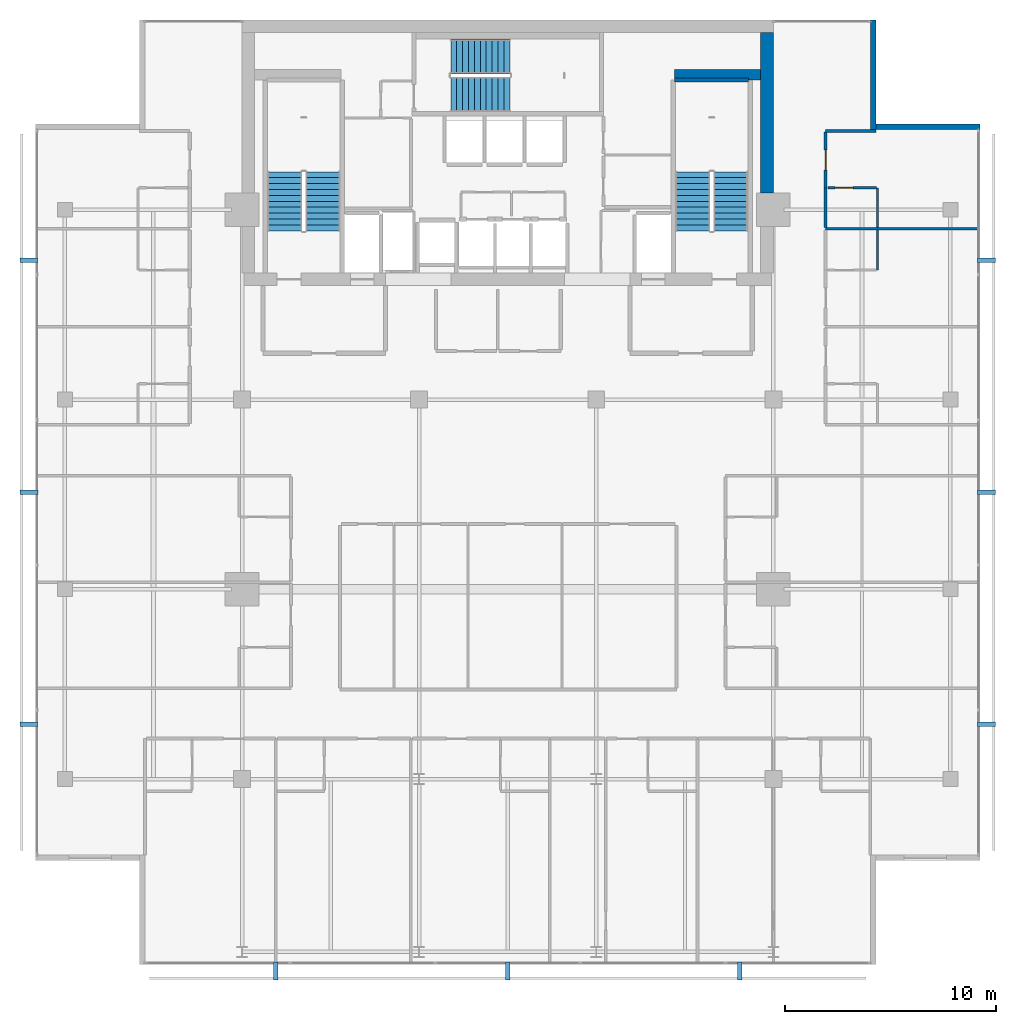
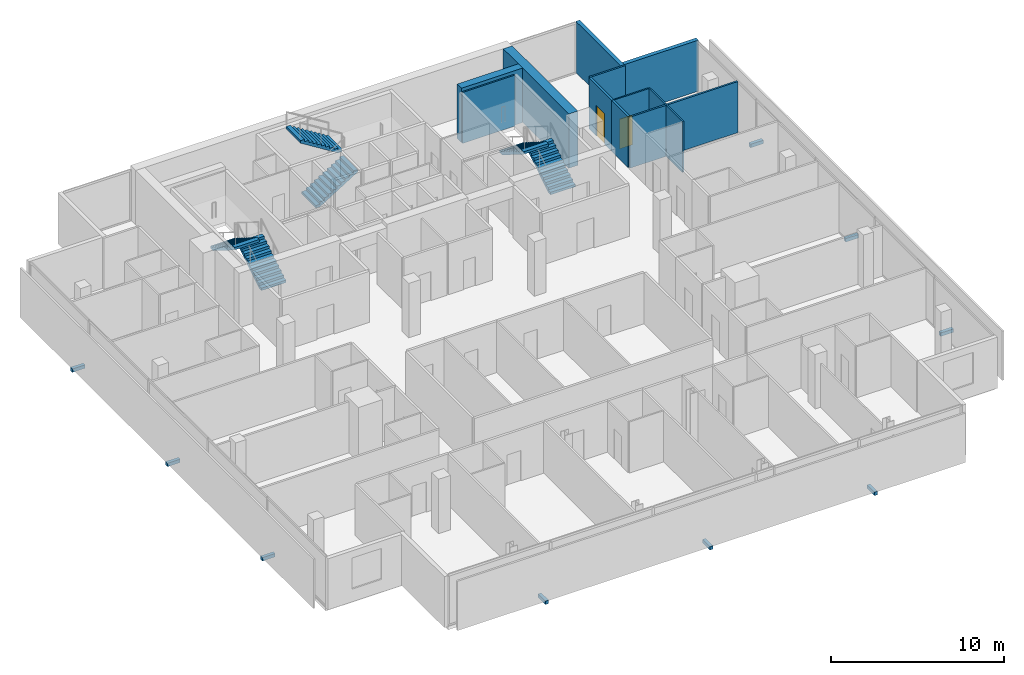
# One storey, part 24 of 26: 12 walls, 9 discrete accessories, 6 stair flights, 2 doors, 2 openings, 3 elements without a shape of their own.
"""IFC4 building model written with IfcOpenShell, lengths in metres."""

from ifc_helpers import new_model, si_unit, direction, frame, frame_2d, origin, origin_2d, place, context, subcontext, project, spatial, polyline, rectangle, outline, extrude, material, layer, layer_set, type_object, element, fill, aggregate, save


model = new_model("IFC4")

# Units and contexts
model_context = context("Model", 3, precision=1e-05, world=origin(), true_north=direction((0.0, 1.0)))
body_context = subcontext(model_context, "Body", "Model", "MODEL_VIEW")
ifc_project = project(units=[si_unit("LENGTHUNIT", "METRE"), si_unit("AREAUNIT", "SQUARE_METRE"), si_unit("VOLUMEUNIT", "CUBIC_METRE"), si_unit("PLANEANGLEUNIT", "RADIAN"), si_unit("MASSUNIT", "GRAM", prefix="KILO")], contexts=[model_context])

# Site, building, storey
site_placement = place(None, origin())
site = spatial("IfcSite", under=ifc_project, at=site_placement, CompositionType="ELEMENT")
building_placement = place(site_placement, origin())
building = spatial("IfcBuilding", under=site, at=building_placement, Name="Maruvema Waterfront Hotel and Observation Tower", CompositionType="ELEMENT")
storey_placement = place(building_placement, frame((0.0, 0.0, 289.449951171875)))
storey = spatial("IfcBuildingStorey", under=building, at=storey_placement, Name="L71", CompositionType="ELEMENT", Elevation=289.449951171875)

# Wall
ifc_material_1 = material(Name="Twin-stud acoustic gypsum drywall", Category="gypsum")
ifc_layer_1 = layer(ifc_material_1, 0.14990234375, Name="Acoustic Corridor and Suite Demising Wall 150 mm")
ifc_layer_set_1 = layer_set([ifc_layer_1], Name="Twin-stud acoustic gypsum drywall")
wall_type_1 = type_object("IfcWallType", Name="Acoustic Corridor and Suite Demising Wall 150 mm", PredefinedType="PARTITIONING", material=ifc_layer_set_1)
wall_1_placement = place(storey_placement, frame((52.8798828125, 44.151611328125, 0.0), z_axis=(0.0, 0.0, 1.0), x_axis=(0.0, 1.0, 0.0)))
element("IfcWall", 1, at=wall_1_placement, inside=storey, type_object=wall_type_1, Name="L71 Bath L71-NE3 Wall 121", PredefinedType="PARTITIONING", context=body_context, shape_type="SweptSolid", body=[
    extrude(rectangle(XDim=1.89013671875, YDim=0.14990234375, at=frame_2d((0.945068359375, 0.0))), origin(), (0.0, 0.0, 1.0), 3.610107421875),
])

# Wall, opening, door
wall_2_placement = place(storey_placement, frame((52.8798828125, 46.041748046875, 0.0), z_axis=(0.0, 0.0, 1.0), x_axis=(0.0, 1.0, 0.0)))
wall_2 = element("IfcWall", 2, at=wall_2_placement, inside=storey, type_object=wall_type_1, Name="L71 Room L71-NE3 Corridor Wall 122", PredefinedType="PARTITIONING", context=body_context, shape_type="SweptSolid", body=[
    extrude(rectangle(XDim=2.6357421875, YDim=0.14990234375, at=frame_2d((1.31787109375, 0.0))), origin(), (0.0, 0.0, 1.0), 3.610107421875),
])
opening_1_placement = place(wall_2_placement, frame((0.843017578125, 0.0, 0.0)))
opening_1 = element("IfcOpeningElement", 3, at=opening_1_placement, cuts=wall_2, Name="Opening DR-095", PredefinedType="OPENING", context=body_context, shape_type="SweptSolid", body=[
    extrude(rectangle(XDim=0.949951171875, YDim=2.14990234375, at=frame_2d((0.47509765625, 1.074951171875))), frame((0.0, 0.0849609375, 0.0), z_axis=(0.0, -1.0, 0.0), x_axis=(1.0, 0.0, 0.0)), (0.0, 0.0, 1.0), 0.169921875),
])
ifc_material_2 = material(Name="Acoustic solid-core hardwood timber leaf", Category="wood")
door_type_1 = type_object("IfcDoorType", Name="Guestroom Entrance Fire Door 950x2150 mm", OperationType="NOTDEFINED", PredefinedType="DOOR", material=ifc_material_2)
door_1_placement = place(opening_1_placement, frame((0.949951171875, 0.0, 0.0), z_axis=(0.0, 0.0, 1.0), x_axis=(-1.0, 0.0, 0.0)))
door_1 = element("IfcDoor", 4, at=door_1_placement, inside=storey, type_object=door_type_1, Name="L71 Room L71-NE3 Entrance Door", OperationType="SINGLE_SWING_LEFT", OverallHeight=2.14990234375, OverallWidth=0.949951171875, PredefinedType="DOOR", context=body_context, shape_type="SweptSolid", body=[
    extrude(rectangle(XDim=0.949951171875, YDim=2.14990234375, at=frame_2d((0.47509765625, 1.074951171875))), frame((0.0, 0.02490234375, 0.0), z_axis=(0.0, -1.0, 0.0), x_axis=(1.0, 0.0, 0.0)), (0.0, 0.0, 1.0), 0.050048828125),
])
fill(opening_1, door_1)

# Walls
ifc_material_3 = material(Name="Precast concrete C45/55", Category="concrete")
ifc_layer_2 = layer(ifc_material_3, 0.199951171875, Name="Core Shaft and Stairwell Enclosure Wall 200 mm")
ifc_layer_set_2 = layer_set([ifc_layer_2], Name="Precast concrete C45/55")
wall_type_2 = type_object("IfcWallType", Name="Core Shaft and Stairwell Enclosure Wall 200 mm", PredefinedType="SOLIDWALL", material=ifc_layer_set_2)
wall_3_placement = place(storey_placement, frame((45.719970703125, 51.14990234375, 0.0), z_axis=(0.0, 0.0, 1.0), x_axis=(1.0, 0.0, 0.0)))
element("IfcWall", 5, at=wall_3_placement, inside=storey, type_object=wall_type_2, Name="L71 Stairwell ST-03 Shaft Lining Wall", PredefinedType="SOLIDWALL", context=body_context, shape_type="SweptSolid", body=[
    extrude(rectangle(XDim=3.5, YDim=0.199951171875, at=frame_2d((1.75, 0.0))), origin(), (0.0, 0.0, 1.0), 3.610107421875),
])
ifc_material_4 = material(Name="Concrete C70/85", Category="concrete")
ifc_layer_3 = layer(ifc_material_4, 0.5, Name="Core Shear Wall 500 mm")
ifc_layer_set_3 = layer_set([ifc_layer_3], Name="Concrete C70/85")
wall_type_3 = type_object("IfcWallType", Name="Core Shear Wall 500 mm", PredefinedType="SHEAR", material=ifc_layer_set_3)
wall_4_placement = place(storey_placement, frame((45.699951171875, 51.39990234375, 0.0), z_axis=(0.0, 0.0, 1.0), x_axis=(1.0, 0.0, 0.0)))
element("IfcWall", 6, at=wall_4_placement, inside=storey, type_object=wall_type_3, Name="L71 Internal Core Shear Wall NE 500 mm", PredefinedType="SHEAR", context=body_context, shape_type="SweptSolid", body=[
    extrude(rectangle(XDim=4.10009765625, YDim=0.5, at=frame_2d((2.050048828125, 0.0))), origin(), (0.0, 0.0, 1.0), 3.85009765625),
])
ifc_material_5 = material(Name="Concrete C60/75", Category="concrete")
ifc_layer_4 = layer(ifc_material_5, 0.60009765625, Name="Core Shear Wall 600 mm")
ifc_layer_set_4 = layer_set([ifc_layer_4], Name="Concrete C60/75")
wall_type_4 = type_object("IfcWallType", Name="Core Shear Wall 600 mm", PredefinedType="SHEAR", material=ifc_layer_set_4)
wall_5_placement = place(storey_placement, frame((50.10009765625, 45.800048828125, 0.0), z_axis=(0.0, 0.0, 1.0), x_axis=(0.0, 1.0, 0.0)))
element("IfcWall", 7, at=wall_5_placement, inside=storey, type_object=wall_type_4, Name="L71 East-North Core Shear Wall", PredefinedType="SHEAR", context=body_context, shape_type="SweptSolid", body=[
    extrude(rectangle(XDim=7.599853515625, YDim=0.60009765625, at=frame_2d((3.7998046875, 0.0))), origin(), (0.0, 0.0, 1.0), 3.85009765625),
])
ifc_material_6 = material(Name="Moisture-resistant cement-board drywall", Category="gypsum")
ifc_layer_5 = layer(ifc_material_6, 0.10009765625, Name="En-Suite Moisture-Resistant Partition 100 mm")
ifc_layer_set_5 = layer_set([ifc_layer_5], Name="Moisture-resistant cement-board drywall")
wall_type_5 = type_object("IfcWallType", Name="En-Suite Moisture-Resistant Partition 100 mm", PredefinedType="PARTITIONING", material=ifc_layer_set_5)
for number, where, z_axis, x_axis, name in (
    (8, (55.330078125, 42.1416015625, 0.0), (0.0, 0.0, 1.0), (0.0, 1.0, 0.0), "L71 En-Suite L71-NE2 E 113"),
    (9, (55.330078125, 44.151611328125, 0.0), (0.0, 0.0, 1.0), (0.0, 1.0, 0.0), "L71 En-Suite L71-NE3 E 123"),
):
    element("IfcWall", number, at=place(storey_placement, frame(where, z_axis=z_axis, x_axis=x_axis)), inside=storey, type_object=wall_type_5, Name=name, PredefinedType="PARTITIONING", context=body_context, shape_type="SweptSolid", body=[
        extrude(rectangle(XDim=1.89013671875, YDim=0.10009765625, at=frame_2d((0.945068359375, 0.0))), origin(), (0.0, 0.0, 1.0), 3.610107421875),
    ])

# Wall, opening, door
wall_6_placement = place(storey_placement, frame((52.97998046875, 46.041748046875, 0.0), z_axis=(0.0, 0.0, 1.0), x_axis=(1.0, 0.0, 0.0)))
wall_6 = element("IfcWall", 10, at=wall_6_placement, inside=storey, type_object=wall_type_5, Name="L71 En-Suite L71-NE3 N 124", PredefinedType="PARTITIONING", context=body_context, shape_type="SweptSolid", body=[
    extrude(rectangle(XDim=2.300048828125, YDim=0.10009765625, at=frame_2d((1.14990234375, 0.0))), origin(), (0.0, 0.0, 1.0), 3.610107421875),
])
opening_2_placement = place(wall_6_placement, frame((0.35009765625, 0.0, 0.0)))
opening_2 = element("IfcOpeningElement", 11, at=opening_2_placement, cuts=wall_6, Name="Opening DR-085", PredefinedType="OPENING", context=body_context, shape_type="SweptSolid", body=[
    extrude(rectangle(XDim=0.85009765625, YDim=2.10009765625, at=frame_2d((0.425048828125, 1.050048828125))), frame((0.0, 0.06005859375, 0.0), z_axis=(0.0, -1.0, 0.0), x_axis=(1.0, 0.0, 0.0)), (0.0, 0.0, 1.0), 0.1201171875),
])
ifc_material_7 = material(Name="Moisture-resistant solid timber leaf", Category="wood")
door_type_2 = type_object("IfcDoorType", Name="En-Suite Bathroom Door 850x2100 mm", OperationType="NOTDEFINED", PredefinedType="DOOR", material=ifc_material_7)
door_2_placement = place(opening_2_placement, origin())
door_2 = element("IfcDoor", 12, at=door_2_placement, inside=storey, type_object=door_type_2, Name="L71 En-Suite L71-NE3 Door", OperationType="SINGLE_SWING_RIGHT", OverallHeight=2.10009765625, OverallWidth=0.85009765625, PredefinedType="DOOR", context=body_context, shape_type="SweptSolid", body=[
    extrude(rectangle(XDim=0.85009765625, YDim=2.10009765625, at=frame_2d((0.425048828125, 1.050048828125))), frame((0.0, 0.02490234375, 0.0), z_axis=(0.0, -1.0, 0.0), x_axis=(1.0, 0.0, 0.0)), (0.0, 0.0, 1.0), 0.050048828125),
])
fill(opening_2, door_2)

# Walls
ifc_material_8 = material(Name="Precast concrete C45/55 with honed Pernambuco granite facing", Category="masonry")
ifc_layer_6 = layer(ifc_material_8, 0.260009765625, Name="Exterior Granite Clad Spandrel and Pier Wall 260 mm")
ifc_layer_set_6 = layer_set([ifc_layer_6], Name="Precast concrete C45/55 with honed Pernambuco granite facing")
wall_type_6 = type_object("IfcWallType", Name="Exterior Granite Clad Spandrel and Pier Wall 260 mm", PredefinedType="SOLIDWALL", material=ifc_layer_set_6)
for number, where, z_axis, x_axis, name in (
    (13, (55.1298828125, 54.0, 0.0), (0.0, 0.0, 1.0), (0.0, -1.0, 0.0), "L71 Corner Notch Granite Pier Wall NE1"),
    (14, (55.0, 48.929931640625, 0.0), (0.0, 0.0, 1.0), (1.0, 0.0, 0.0), "L71 Corner Notch Granite Pier Wall NE2"),
):
    element("IfcWall", number, at=place(storey_placement, frame(where, z_axis=z_axis, x_axis=x_axis)), inside=storey, type_object=wall_type_6, Name=name, PredefinedType="SOLIDWALL", context=body_context, shape_type="SweptSolid", body=[
        extrude(rectangle(XDim=5.199951171875, YDim=0.260009765625, at=frame_2d((2.60009765625, 0.0))), origin(), (0.0, 0.0, 1.0), 3.610107421875),
    ])
ifc_material_9 = material(Name="Acoustic gypsum plasterboard drywall", Category="gypsum")
ifc_layer_7 = layer(ifc_material_9, 0.125, Name="Guestroom Acoustic Demising Wall 125 mm")
ifc_layer_set_7 = layer_set([ifc_layer_7], Name="Acoustic gypsum plasterboard drywall")
wall_type_7 = type_object("IfcWallType", Name="Guestroom Acoustic Demising Wall 125 mm", PredefinedType="PARTITIONING", material=ifc_layer_set_7)
wall_7_placement = place(storey_placement, frame((52.8798828125, 48.737548828125, 0.0), z_axis=(0.0, 0.0, 1.0), x_axis=(1.0, 0.0, 0.0)))
element("IfcWall", 15, at=wall_7_placement, inside=storey, type_object=wall_type_7, Name="L71 Z3 NE Top End 096", PredefinedType="PARTITIONING", context=body_context, shape_type="SweptSolid", body=[
    extrude(rectangle(XDim=2.380126953125, YDim=0.125, at=frame_2d((1.18994140625, 0.0))), origin(), (0.0, 0.0, 1.0), 3.610107421875),
])
wall_8_placement = place(storey_placement, frame((52.8798828125, 44.091796875, 0.0), z_axis=(0.0, 0.0, 1.0), x_axis=(1.0, 0.0, 0.0)))
element("IfcWall", 16, at=wall_8_placement, inside=storey, type_object=wall_type_7, Name="L71 Z3 NE Demising 3 116", PredefinedType="PARTITIONING", context=body_context, shape_type="SweptSolid", body=[
    extrude(rectangle(XDim=7.22021484375, YDim=0.125, at=frame_2d((3.610107421875, 0.0))), origin(), (0.0, 0.0, 1.0), 3.610107421875),
])

# Stair, stair flights
ifc_material_10 = material(Name="Concrete C50/60", Category="concrete")
stair_type = type_object("IfcStairType", Name="Dogleg Exit Stair 1650 mm (22R x 175.0 mm)", PredefinedType="HALF_TURN_STAIR", material=ifc_material_10)
stair_1_placement = place(storey_placement, origin())
stair_1 = element("IfcStair", 17, at=stair_1_placement, inside=storey, type_object=stair_type, Name="L71 ST-01", PredefinedType="HALF_TURN_STAIR")
ifc_material_11 = material(Name="Concrete C50/60", Category="concrete")
stair_flight_type = type_object("IfcStairFlightType", Name="Reinforced Concrete Stair Flight 1650 mm (11R x 175.0 mm)", PredefinedType="STRAIGHT", material=ifc_material_11)
stair_flight_1_placement = place(storey_placement, frame((29.02490234375, 44.0, 0.0), z_axis=(0.0, 0.0, 1.0), x_axis=(0.0, 1.0, 0.0)))
stair_flight_1 = element("IfcStairFlight", 18, at=stair_flight_1_placement, type_object=stair_flight_type, Name="ST-01 flight 1", NumberOfRisers=11, NumberOfTreads=10, PredefinedType="STRAIGHT", RiserHeight=0.175, TreadLength=0.28, context=body_context, shape_type="SweptSolid", body=[
    extrude(outline(polyline([(0.0, 0.0), (0.0, 0.175048828125), (0.280029296875, 0.175048828125), (0.280029296875, 0.35009765625), (0.56005859375, 0.35009765625), (0.56005859375, 0.52490234375), (0.840087890625, 0.52490234375), (0.840087890625, 0.699951171875), (1.1201171875, 0.699951171875), (1.1201171875, 0.875), (1.39990234375, 0.875), (1.39990234375, 1.050048828125), (1.679931640625, 1.050048828125), (1.679931640625, 1.22509765625), (1.9599609375, 1.22509765625), (1.9599609375, 1.39990234375), (2.239990234375, 1.39990234375), (2.239990234375, 1.574951171875), (2.52001953125, 1.574951171875), (2.52001953125, 1.75), (2.800048828125, 1.75), (2.800048828125, 1.925048828125), (2.800048828125, 1.5732421875), (0.28271484375, 0.0), (0.0, 0.0)])), frame((0.0, 0.824951171875, 0.0), z_axis=(0.0, -1.0, 0.0), x_axis=(1.0, 0.0, 0.0)), (0.0, 0.0, 1.0), 1.64990234375),
])
stair_flight_2_placement = place(storey_placement, frame((27.22509765625, 46.800048828125, 1.925048828125), z_axis=(0.0, 0.0, 1.0), x_axis=(0.0, -1.0, 0.0)))
stair_flight_2 = element("IfcStairFlight", 19, at=stair_flight_2_placement, type_object=stair_flight_type, Name="ST-01 flight 2", NumberOfRisers=11, NumberOfTreads=10, PredefinedType="STRAIGHT", RiserHeight=0.175, TreadLength=0.28, context=body_context, shape_type="SweptSolid", body=[
    extrude(outline(polyline([(0.0, 0.0), (0.0, 0.175048828125), (0.280029296875, 0.175048828125), (0.280029296875, 0.35009765625), (0.56005859375, 0.35009765625), (0.56005859375, 0.52490234375), (0.840087890625, 0.52490234375), (0.840087890625, 0.699951171875), (1.1201171875, 0.699951171875), (1.1201171875, 0.875), (1.39990234375, 0.875), (1.39990234375, 1.050048828125), (1.679931640625, 1.050048828125), (1.679931640625, 1.22509765625), (1.9599609375, 1.22509765625), (1.9599609375, 1.39990234375), (2.239990234375, 1.39990234375), (2.239990234375, 1.574951171875), (2.52001953125, 1.574951171875), (2.52001953125, 1.75), (2.800048828125, 1.75), (2.800048828125, 1.925048828125), (2.800048828125, 1.5732421875), (0.28271484375, 0.0), (0.0, 0.0)])), frame((0.0, 0.824951171875, 0.0), z_axis=(0.0, -1.0, 0.0), x_axis=(1.0, 0.0, 0.0)), (0.0, 0.0, 1.0), 1.64990234375),
])
aggregate(stair_1, [stair_flight_1, stair_flight_2])

stair_2_placement = place(storey_placement, origin())
stair_2 = element("IfcStair", 20, at=stair_2_placement, inside=storey, type_object=stair_type, Name="L71 ST-02", PredefinedType="HALF_TURN_STAIR")
stair_flight_3_placement = place(storey_placement, frame((35.10009765625, 50.47509765625, 0.0), z_axis=(0.0, 0.0, 1.0), x_axis=(1.0, 0.0, 0.0)))
stair_flight_3 = element("IfcStairFlight", 21, at=stair_flight_3_placement, type_object=stair_flight_type, Name="ST-02 flight 1", NumberOfRisers=11, NumberOfTreads=10, PredefinedType="STRAIGHT", RiserHeight=0.175, TreadLength=0.28, context=body_context, shape_type="SweptSolid", body=[
    extrude(outline(polyline([(0.0, 0.0), (0.0, 0.175048828125), (0.280029296875, 0.175048828125), (0.280029296875, 0.35009765625), (0.56005859375, 0.35009765625), (0.56005859375, 0.52490234375), (0.840087890625, 0.52490234375), (0.840087890625, 0.699951171875), (1.1201171875, 0.699951171875), (1.1201171875, 0.875), (1.39990234375, 0.875), (1.39990234375, 1.050048828125), (1.679931640625, 1.050048828125), (1.679931640625, 1.22509765625), (1.9599609375, 1.22509765625), (1.9599609375, 1.39990234375), (2.239990234375, 1.39990234375), (2.239990234375, 1.574951171875), (2.52001953125, 1.574951171875), (2.52001953125, 1.75), (2.800048828125, 1.75), (2.800048828125, 1.925048828125), (2.800048828125, 1.5732421875), (0.28271484375, 0.0), (0.0, 0.0)])), frame((0.0, 0.824951171875, 0.0), z_axis=(0.0, -1.0, 0.0), x_axis=(1.0, 0.0, 0.0)), (0.0, 0.0, 1.0), 1.64990234375),
])
stair_flight_4_placement = place(storey_placement, frame((37.89990234375, 52.27490234375, 1.925048828125), z_axis=(0.0, 0.0, 1.0), x_axis=(-1.0, 0.0, 0.0)))
stair_flight_4 = element("IfcStairFlight", 22, at=stair_flight_4_placement, type_object=stair_flight_type, Name="ST-02 flight 2", NumberOfRisers=11, NumberOfTreads=10, PredefinedType="STRAIGHT", RiserHeight=0.175, TreadLength=0.28, context=body_context, shape_type="SweptSolid", body=[
    extrude(outline(polyline([(0.0, 0.0), (0.0, 0.175048828125), (0.280029296875, 0.175048828125), (0.280029296875, 0.35009765625), (0.56005859375, 0.35009765625), (0.56005859375, 0.52490234375), (0.840087890625, 0.52490234375), (0.840087890625, 0.699951171875), (1.1201171875, 0.699951171875), (1.1201171875, 0.875), (1.39990234375, 0.875), (1.39990234375, 1.050048828125), (1.679931640625, 1.050048828125), (1.679931640625, 1.22509765625), (1.9599609375, 1.22509765625), (1.9599609375, 1.39990234375), (2.239990234375, 1.39990234375), (2.239990234375, 1.574951171875), (2.52001953125, 1.574951171875), (2.52001953125, 1.75), (2.800048828125, 1.75), (2.800048828125, 1.925048828125), (2.800048828125, 1.5732421875), (0.28271484375, 0.0), (0.0, 0.0)])), frame((0.0, 0.824951171875, 0.0), z_axis=(0.0, -1.0, 0.0), x_axis=(1.0, 0.0, 0.0)), (0.0, 0.0, 1.0), 1.64990234375),
])
aggregate(stair_2, [stair_flight_3, stair_flight_4])

stair_3_placement = place(storey_placement, origin())
stair_3 = element("IfcStair", 23, at=stair_3_placement, inside=storey, type_object=stair_type, Name="L71 ST-03", PredefinedType="HALF_TURN_STAIR")
stair_flight_5_placement = place(storey_placement, frame((48.375, 44.0, 0.0), z_axis=(0.0, 0.0, 1.0), x_axis=(0.0, 1.0, 0.0)))
stair_flight_5 = element("IfcStairFlight", 24, at=stair_flight_5_placement, type_object=stair_flight_type, Name="ST-03 flight 1", NumberOfRisers=11, NumberOfTreads=10, PredefinedType="STRAIGHT", RiserHeight=0.175, TreadLength=0.28, context=body_context, shape_type="SweptSolid", body=[
    extrude(outline(polyline([(0.0, 0.0), (0.0, 0.175048828125), (0.280029296875, 0.175048828125), (0.280029296875, 0.35009765625), (0.56005859375, 0.35009765625), (0.56005859375, 0.52490234375), (0.840087890625, 0.52490234375), (0.840087890625, 0.699951171875), (1.1201171875, 0.699951171875), (1.1201171875, 0.875), (1.39990234375, 0.875), (1.39990234375, 1.050048828125), (1.679931640625, 1.050048828125), (1.679931640625, 1.22509765625), (1.9599609375, 1.22509765625), (1.9599609375, 1.39990234375), (2.239990234375, 1.39990234375), (2.239990234375, 1.574951171875), (2.52001953125, 1.574951171875), (2.52001953125, 1.75), (2.800048828125, 1.75), (2.800048828125, 1.925048828125), (2.800048828125, 1.5732421875), (0.28271484375, 0.0), (0.0, 0.0)])), frame((0.0, 0.824951171875, 0.0), z_axis=(0.0, -1.0, 0.0), x_axis=(1.0, 0.0, 0.0)), (0.0, 0.0, 1.0), 1.64990234375),
])
stair_flight_6_placement = place(storey_placement, frame((46.574951171875, 46.800048828125, 1.925048828125), z_axis=(0.0, 0.0, 1.0), x_axis=(0.0, -1.0, 0.0)))
stair_flight_6 = element("IfcStairFlight", 25, at=stair_flight_6_placement, type_object=stair_flight_type, Name="ST-03 flight 2", NumberOfRisers=11, NumberOfTreads=10, PredefinedType="STRAIGHT", RiserHeight=0.175, TreadLength=0.28, context=body_context, shape_type="SweptSolid", body=[
    extrude(outline(polyline([(0.0, 0.0), (0.0, 0.175048828125), (0.280029296875, 0.175048828125), (0.280029296875, 0.35009765625), (0.56005859375, 0.35009765625), (0.56005859375, 0.52490234375), (0.840087890625, 0.52490234375), (0.840087890625, 0.699951171875), (1.1201171875, 0.699951171875), (1.1201171875, 0.875), (1.39990234375, 0.875), (1.39990234375, 1.050048828125), (1.679931640625, 1.050048828125), (1.679931640625, 1.22509765625), (1.9599609375, 1.22509765625), (1.9599609375, 1.39990234375), (2.239990234375, 1.39990234375), (2.239990234375, 1.574951171875), (2.52001953125, 1.574951171875), (2.52001953125, 1.75), (2.800048828125, 1.75), (2.800048828125, 1.925048828125), (2.800048828125, 1.5732421875), (0.28271484375, 0.0), (0.0, 0.0)])), frame((0.0, 0.824951171875, 0.0), z_axis=(0.0, -1.0, 0.0), x_axis=(1.0, 0.0, 0.0)), (0.0, 0.0, 1.0), 1.64990234375),
])
aggregate(stair_3, [stair_flight_5, stair_flight_6])

# Discrete accessories
ifc_material_12 = material(Name="Duplex stainless steel Grade 2205", Category="steel")
discrete_accessory_type = type_object("IfcDiscreteAccessoryType", Name="Double-Skin Cavity Stainless Outrigger Bracket", PredefinedType="BRACKET", material=ifc_material_12)
for number, where, z_axis, x_axis, name in (
    (26, (26.7919921875, 8.89990234375, -0.14013671875), (0.0, 0.0, 1.0), (1.0, 0.0, 0.0), "L71 Outer Skin Support Bracket 1"),
    (27, (37.800048828125, 8.89990234375, -0.14013671875), (0.0, 0.0, 1.0), (1.0, 0.0, 0.0), "L71 Outer Skin Support Bracket 2"),
    (28, (48.80810546875, 8.89990234375, -0.14013671875), (0.0, 0.0, 1.0), (1.0, 0.0, 0.0), "L71 Outer Skin Support Bracket 3"),
    (29, (60.5, 20.592041015625, -0.14013671875), (0.0, 0.0, 1.0), (0.0, 1.0, 0.0), "L71 Outer Skin Support Bracket 1"),
    (30, (60.5, 31.60009765625, -0.14013671875), (0.0, 0.0, 1.0), (0.0, 1.0, 0.0), "L71 Outer Skin Support Bracket 2"),
    (31, (60.5, 42.60791015625, -0.14013671875), (0.0, 0.0, 1.0), (0.0, 1.0, 0.0), "L71 Outer Skin Support Bracket 3"),
    (32, (15.10009765625, 42.60791015625, -0.14013671875), (0.0, 0.0, 1.0), (0.0, -1.0, 0.0), "L71 Outer Skin Support Bracket 1"),
    (33, (15.10009765625, 31.60009765625, -0.14013671875), (0.0, 0.0, 1.0), (0.0, -1.0, 0.0), "L71 Outer Skin Support Bracket 2"),
    (34, (15.10009765625, 20.592041015625, -0.14013671875), (0.0, 0.0, 1.0), (0.0, -1.0, 0.0), "L71 Outer Skin Support Bracket 3"),
):
    element("IfcDiscreteAccessory", number, at=place(storey_placement, frame(where, z_axis=z_axis, x_axis=x_axis)), inside=storey, type_object=discrete_accessory_type, Name=name, PredefinedType="BRACKET", context=body_context, shape_type="SweptSolid", body=[
        extrude(rectangle(XDim=0.219970703125, YDim=0.860107421875, at=origin_2d()), origin(), (0.0, 0.0, 1.0), 0.239990234375),
    ])

save(model, "model.ifc")
